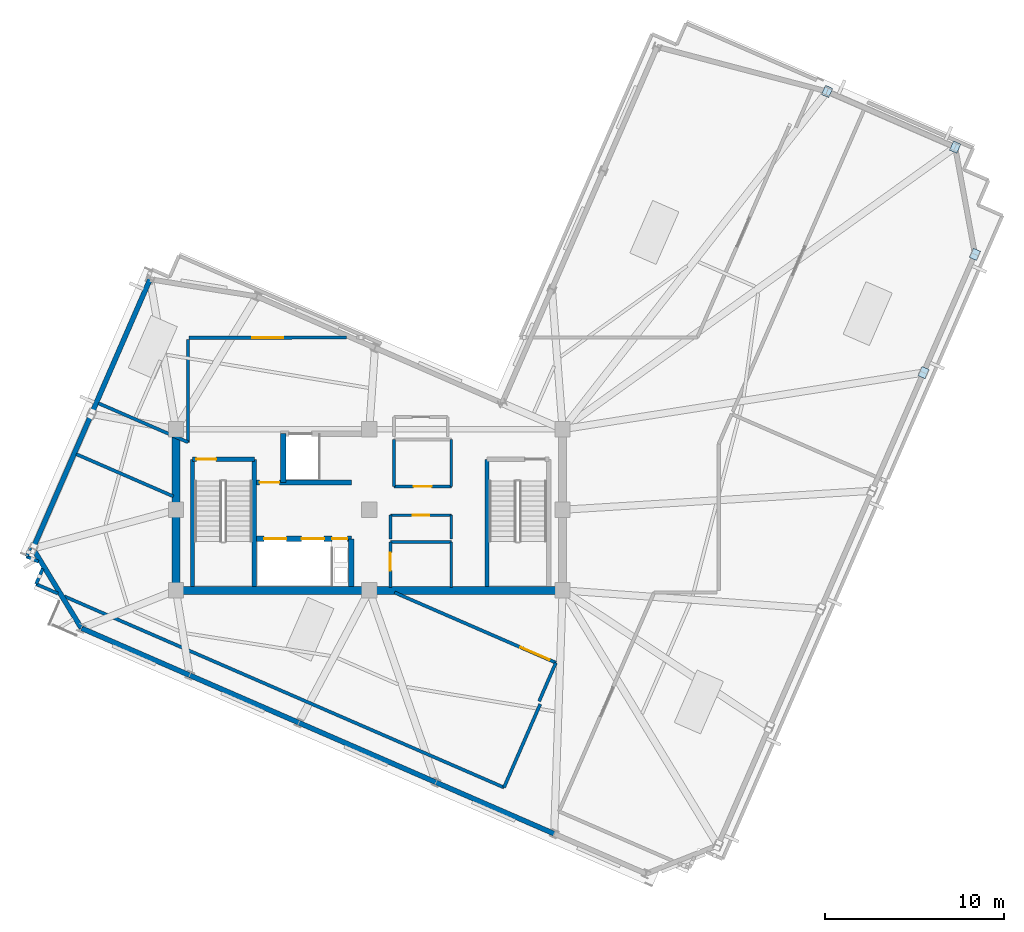
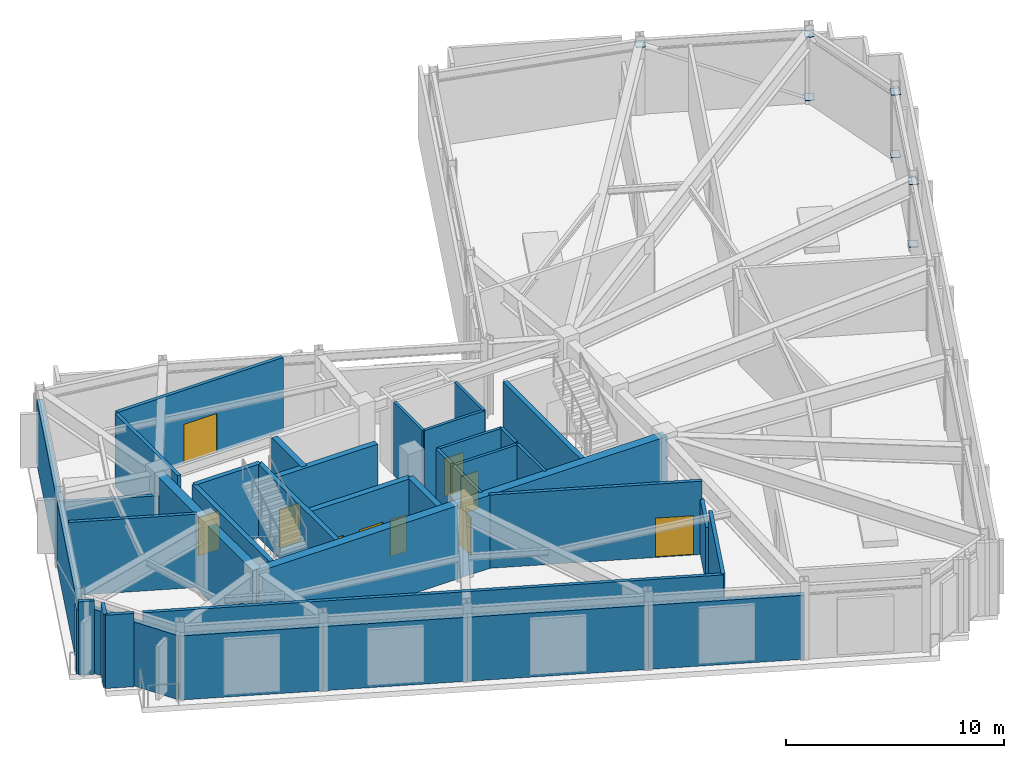
# One storey, part 6 of 11: 39 walls, 10 doors, 7 plates, 10 openings.
"""IFC4 building model written with IfcOpenShell, lengths in metres."""

from ifc_helpers import new_model, si_unit, direction, frame, frame_2d, origin, origin_2d, place, context, subcontext, project, spatial, rectangle, extrude, material, layer, layer_set, type_object, element, fill, save


model = new_model("IFC4")

# Units and contexts
model_context = context("Model", 3, precision=1e-05, world=origin(), true_north=direction((0.0, 1.0)))
body_context = subcontext(model_context, "Body", "Model", "MODEL_VIEW")
ifc_project = project(units=[si_unit("LENGTHUNIT", "METRE"), si_unit("AREAUNIT", "SQUARE_METRE"), si_unit("VOLUMEUNIT", "CUBIC_METRE"), si_unit("PLANEANGLEUNIT", "RADIAN"), si_unit("MASSUNIT", "GRAM", prefix="KILO")], contexts=[model_context])

# Site, building, storey
site_placement = place(None, origin())
site = spatial("IfcSite", under=ifc_project, at=site_placement, CompositionType="ELEMENT")
building_placement = place(site_placement, origin())
building = spatial("IfcBuilding", under=site, at=building_placement, Name="Gaonmaruhae Medical Tower", CompositionType="ELEMENT")
storey_placement = place(building_placement, frame((0.0, 0.0, 338.199951171875)))
storey = spatial("IfcBuildingStorey", under=building, at=storey_placement, Name="L81", CompositionType="ELEMENT", Elevation=338.199951171875)

# Plates
ifc_material_1 = material(Name="Steel HSA650 (650 MPa)", Category="steel")
ifc_layer_1 = layer(ifc_material_1, 0.028076171875)
ifc_layer_set_1 = layer_set([ifc_layer_1], Name="Steel HSA650 (650 MPa)")
plate_type = type_object("IfcPlateType", Name="GP-02 Tube Brace End Cap Gusset Plate", PredefinedType="USERDEFINED", material=ifc_layer_set_1)
for number, where, z_axis, x_axis, name in (
    (1, (57.525634765625, 32.552734375, 0.23583984375), (0.0, 0.0, 1.0), (0.398749068925, 0.917060074385, 0.0), "L81 Gusset Cap Plate PLT-L81-PBR-E01A"),
    (2, (50.372802734375, 35.662841796875, 3.8359375), (0.0, 0.0, 1.0), (0.398749068925, 0.917060074385, 0.0), "L81 Gusset Cap Plate PLT-L81-PBR-E01B"),
    (3, (55.759033203125, 19.962890625, 3.7861328125), (0.0, 0.0, 1.0), (0.398749068925, 0.917060074385, 0.0), "L81 Gusset Cap Plate PLT-L81-CFS4B"),
    (4, (55.759033203125, 19.962890625, 0.2861328125), (0.0, 0.0, 1.0), (0.398749068925, 0.917060074385, 0.0), "L81 Gusset Cap Plate PLT-L81-CFS5A"),
    (5, (58.630126953125, 26.565673828125, 3.7861328125), (0.0, 0.0, 1.0), (0.398749068925, 0.917060074385, 0.0), "L81 Gusset Cap Plate PLT-L81-CFS5B"),
    (6, (58.630126953125, 26.565673828125, 0.2861328125), (0.0, 0.0, 1.0), (0.398749068925, 0.917060074385, 0.0), "L81 Gusset Cap Plate PLT-L81-CFS6A"),
    (7, (57.525634765625, 32.552734375, 3.7861328125), (0.0, 0.0, 1.0), (0.398749068925, 0.917060074385, 0.0), "L81 Gusset Cap Plate PLT-L81-CFS6B"),
):
    element("IfcPlate", number, at=place(storey_placement, frame(where, z_axis=z_axis, x_axis=x_axis)), inside=storey, type_object=plate_type, Name=name, ObjectType="GUSSET_PLATE", PredefinedType="USERDEFINED", context=body_context, shape_type="SweptSolid", body=[
        extrude(rectangle(XDim=0.56005859375, YDim=0.43994140625, at=origin_2d()), origin(), (0.0, 0.0, 1.0), 0.028076171875),
    ])

# Walls
ifc_material_2 = material(Name="Concrete C50/60", Category="concrete")
ifc_layer_2 = layer(ifc_material_2, 0.449951171875)
ifc_layer_set_2 = layer_set([ifc_layer_2], Name="Concrete C50/60")
wall_type_1 = type_object("IfcWallType", Name="CW-450 Upper Core Shear Wall", PredefinedType="SHEAR", material=ifc_layer_set_2)
for number, where, z_axis, x_axis, name in (
    (8, (14.0, 7.800048828125, 0.0), (0.0, 0.0, 1.0), (1.0, 0.0, 0.0), "L81 Core Shear Wall CSW-S1"),
    (9, (24.800048828125, 7.800048828125, 0.0), (0.0, 0.0, 1.0), (1.0, 0.0, 0.0), "L81 Core Shear Wall CSW-S2"),
):
    element("IfcWall", number, at=place(storey_placement, frame(where, z_axis=z_axis, x_axis=x_axis)), inside=storey, type_object=wall_type_1, Name=name, PredefinedType="SHEAR", context=body_context, shape_type="SweptSolid", body=[
        extrude(rectangle(XDim=10.800048828125, YDim=0.449951171875, at=frame_2d((5.39990234375, 0.0))), origin(), (0.0, 0.0, 1.0), 4.10009765625),
    ])
wall_1_placement = place(storey_placement, frame((14.0, 16.800048828125, 0.0), z_axis=(0.0, 0.0, 1.0), x_axis=(0.0, -1.0, 0.0)))
element("IfcWall", 10, at=wall_1_placement, inside=storey, type_object=wall_type_1, Name="L81 Core Shear Wall CSW-W1", PredefinedType="SHEAR", context=body_context, shape_type="SweptSolid", body=[
    extrude(rectangle(XDim=9.0, YDim=0.449951171875, at=frame_2d((4.5, 0.0))), origin(), (0.0, 0.0, 1.0), 4.10009765625),
])
ifc_material_3 = material(Name="Precast concrete C45/55", Category="concrete")
ifc_layer_3 = layer(ifc_material_3, 0.280029296875)
ifc_layer_set_3 = layer_set([ifc_layer_3], Name="Precast concrete C45/55")
wall_type_2 = type_object("IfcWallType", Name="EW-280 Upper Precast Masonry-Frame Facade Wall", PredefinedType="SOLIDWALL", material=ifc_layer_set_3)
wall_2_placement = place(storey_placement, frame((9.283447265625, 17.6533203125, 0.0), z_axis=(0.0, 0.0, 1.0), x_axis=(0.398746796056, 0.917061062653, 0.0)))
element("IfcWall", 11, at=wall_2_placement, inside=storey, type_object=wall_type_2, Name="L81 Precast Masonry-Frame Wall N01-N02", PredefinedType="SOLIDWALL", context=body_context, shape_type="SweptSolid", body=[
    extrude(rectangle(XDim=8.2001953125, YDim=0.280029296875, at=frame_2d((4.10009765625, 0.0))), origin(), (0.0, 0.0, 1.0), 3.5849609375),
])
wall_3_placement = place(storey_placement, frame((6.013916015625, 10.133544921875, 0.0), z_axis=(0.0, 0.0, 1.0), x_axis=(0.398732643684, 0.917067216108, 0.0)))
element("IfcWall", 12, at=wall_3_placement, inside=storey, type_object=wall_type_2, Name="L81 Precast Masonry-Frame Wall N02-N03", PredefinedType="SOLIDWALL", context=body_context, shape_type="SweptSolid", body=[
    extrude(rectangle(XDim=8.19970703125, YDim=0.280029296875, at=frame_2d((4.099853515625, 0.0))), origin(), (0.0, 0.0, 1.0), 3.5849609375),
])
wall_4_placement = place(storey_placement, frame((8.715087890625, 5.687744140625, 0.0), z_axis=(0.0, 0.0, 1.0), x_axis=(-0.519249986957, 0.854622402611, 0.0)))
element("IfcWall", 13, at=wall_4_placement, inside=storey, type_object=wall_type_2, Name="L81 Precast Masonry-Frame Wall N03-W01", PredefinedType="SOLIDWALL", context=body_context, shape_type="SweptSolid", body=[
    extrude(rectangle(XDim=5.2021484375, YDim=0.280029296875, at=frame_2d((2.60107421875, 0.0))), origin(), (0.0, 0.0, 1.0), 3.5849609375),
])
wall_5_placement = place(storey_placement, frame((14.767578125, 3.055908203125, 0.0), z_axis=(0.0, 0.0, 1.0), x_axis=(-0.917052412425, 0.398766689764, 0.0)))
element("IfcWall", 14, at=wall_5_placement, inside=storey, type_object=wall_type_2, Name="L81 Precast Masonry-Frame Wall W01-W02", PredefinedType="SOLIDWALL", context=body_context, shape_type="SweptSolid", body=[
    extrude(rectangle(XDim=6.599853515625, YDim=0.280029296875, at=frame_2d((3.2998046875, 0.0))), origin(), (0.0, 0.0, 1.0), 3.5849609375),
])
wall_6_placement = place(storey_placement, frame((20.8662109375, 0.404296875, 0.0), z_axis=(0.0, 0.0, 1.0), x_axis=(-0.91706830527, 0.398730138652, 0.0)))
element("IfcWall", 15, at=wall_6_placement, inside=storey, type_object=wall_type_2, Name="L81 Precast Masonry-Frame Wall W02-W03", PredefinedType="SOLIDWALL", context=body_context, shape_type="SweptSolid", body=[
    extrude(rectangle(XDim=6.650146484375, YDim=0.280029296875, at=frame_2d((3.3251953125, 0.0))), origin(), (0.0, 0.0, 1.0), 3.5849609375),
])
wall_7_placement = place(storey_placement, frame((28.5234375, -2.92529296875, 0.0), z_axis=(0.0, 0.0, 1.0), x_axis=(-0.917054250629, 0.39876246238, 0.0)))
element("IfcWall", 16, at=wall_7_placement, inside=storey, type_object=wall_type_2, Name="L81 Precast Masonry-Frame Wall W03-W04", PredefinedType="SOLIDWALL", context=body_context, shape_type="SweptSolid", body=[
    extrude(rectangle(XDim=8.349853515625, YDim=0.280029296875, at=frame_2d((4.1748046875, 0.0))), origin(), (0.0, 0.0, 1.0), 3.5849609375),
])
wall_8_placement = place(storey_placement, frame((35.12646484375, -5.79638671875, 0.0), z_axis=(0.0, 0.0, 1.0), x_axis=(-0.917059274554, 0.398750908406, 0.0)))
element("IfcWall", 17, at=wall_8_placement, inside=storey, type_object=wall_type_2, Name="L81 Precast Masonry-Frame Wall W04-W05", PredefinedType="SOLIDWALL", context=body_context, shape_type="SweptSolid", body=[
    extrude(rectangle(XDim=7.2001953125, YDim=0.280029296875, at=frame_2d((3.60009765625, 0.0))), origin(), (0.0, 0.0, 1.0), 3.5849609375),
])

# Wall, opening, door
ifc_material_4 = material(Name="Gypsum board partition", Category="gypsum")
ifc_layer_4 = layer(ifc_material_4, 0.14990234375)
ifc_layer_set_4 = layer_set([ifc_layer_4], Name="Gypsum board partition")
wall_type_3 = type_object("IfcWallType", Name="PW-150 Rated Clinical Corridor Partition", PredefinedType="PARTITIONING", material=ifc_layer_set_4)
wall_9_placement = place(storey_placement, frame((25.97998046875, 7.9599609375, 0.0), z_axis=(0.0, 0.0, 1.0), x_axis=(0.0, 1.0, 0.0)))
wall_9 = element("IfcWall", 18, at=wall_9_placement, inside=storey, type_object=wall_type_3, Name="L81 Interior Partition L81-RCL1-1", PredefinedType="PARTITIONING", context=body_context, shape_type="SweptSolid", body=[
    extrude(rectangle(XDim=2.5400390625, YDim=0.14990234375, at=frame_2d((1.27001953125, 0.0))), origin(), (0.0, 0.0, 1.0), 4.10009765625),
])
opening_1_placement = place(wall_9_placement, frame((0.945068359375, 0.0, 0.0)))
opening_1 = element("IfcOpeningElement", 19, at=opening_1_placement, cuts=wall_9, Name="Opening CD-01", PredefinedType="OPENING", context=body_context, shape_type="SweptSolid", body=[
    extrude(rectangle(XDim=1.0, YDim=2.1201171875, at=frame_2d((0.5, 1.06005859375))), frame((0.0, 0.0849609375, 0.0), z_axis=(0.0, -1.0, 0.0), x_axis=(1.0, 0.0, 0.0)), (0.0, 0.0, 1.0), 0.169921875),
])
ifc_material_5 = material(Name="Antimicrobial laminate timber fire door", Category="wood")
door_type_1 = type_object("IfcDoorType", Name="CD-01 Consultation & Physician Office Door 1000x2120", OperationType="NOTDEFINED", PredefinedType="DOOR", material=ifc_material_5)
door_1_placement = place(opening_1_placement, origin())
door_1 = element("IfcDoor", 20, at=door_1_placement, inside=storey, type_object=door_type_1, Name="L81 Clinical Telemetry and Medication Room Door", OperationType="SINGLE_SWING_RIGHT", OverallHeight=2.1201171875, OverallWidth=1.0, PredefinedType="DOOR", context=body_context, shape_type="SweptSolid", body=[
    extrude(rectangle(XDim=1.0, YDim=2.1201171875, at=frame_2d((0.5, 1.06005859375))), frame((0.0, 0.02490234375, 0.0), z_axis=(0.0, -1.0, 0.0), x_axis=(1.0, 0.0, 0.0)), (0.0, 0.0, 1.0), 0.050048828125),
])
fill(opening_1, door_1)

# Walls
wall_10_placement = place(storey_placement, frame((25.97998046875, 10.5, 0.0), z_axis=(0.0, 0.0, 1.0), x_axis=(1.0, 0.0, 0.0)))
element("IfcWall", 21, at=wall_10_placement, inside=storey, type_object=wall_type_3, Name="L81 Interior Partition L81-RCL1-2", PredefinedType="PARTITIONING", context=body_context, shape_type="SweptSolid", body=[
    extrude(rectangle(XDim=3.39990234375, YDim=0.14990234375, at=frame_2d((1.699951171875, 0.0))), origin(), (0.0, 0.0, 1.0), 4.10009765625),
])
wall_11_placement = place(storey_placement, frame((29.3798828125, 10.5, 0.0), z_axis=(0.0, 0.0, 1.0), x_axis=(0.0, -1.0, 0.0)))
element("IfcWall", 22, at=wall_11_placement, inside=storey, type_object=wall_type_3, Name="L81 Interior Partition L81-RCL1-3", PredefinedType="PARTITIONING", context=body_context, shape_type="SweptSolid", body=[
    extrude(rectangle(XDim=2.5400390625, YDim=0.14990234375, at=frame_2d((1.27001953125, 0.0))), origin(), (0.0, 0.0, 1.0), 4.10009765625),
])
wall_12_placement = place(storey_placement, frame((25.97998046875, 10.659912109375, 0.0), z_axis=(0.0, 0.0, 1.0), x_axis=(0.0, 1.0, 0.0)))
element("IfcWall", 23, at=wall_12_placement, inside=storey, type_object=wall_type_3, Name="L81 Interior Partition L81-CS1-4", PredefinedType="PARTITIONING", context=body_context, shape_type="SweptSolid", body=[
    extrude(rectangle(XDim=1.340087890625, YDim=0.14990234375, at=frame_2d((0.669921875, 0.0))), origin(), (0.0, 0.0, 1.0), 4.10009765625),
])

# Wall, opening, door
wall_13_placement = place(storey_placement, frame((25.97998046875, 12.0, 0.0), z_axis=(0.0, 0.0, 1.0), x_axis=(1.0, 0.0, 0.0)))
wall_13 = element("IfcWall", 24, at=wall_13_placement, inside=storey, type_object=wall_type_3, Name="L81 Interior Partition L81-CS1-5", PredefinedType="PARTITIONING", context=body_context, shape_type="SweptSolid", body=[
    extrude(rectangle(XDim=3.39990234375, YDim=0.14990234375, at=frame_2d((1.699951171875, 0.0))), origin(), (0.0, 0.0, 1.0), 4.10009765625),
])
opening_2_placement = place(wall_13_placement, frame((1.239990234375, 0.0, 0.0)))
opening_2 = element("IfcOpeningElement", 25, at=opening_2_placement, cuts=wall_13, Name="Opening UD-01", PredefinedType="OPENING", context=body_context, shape_type="SweptSolid", body=[
    extrude(rectangle(XDim=0.919921875, YDim=2.10009765625, at=frame_2d((0.4599609375, 1.050048828125))), frame((0.0, 0.0849609375, 0.0), z_axis=(0.0, -1.0, 0.0), x_axis=(1.0, 0.0, 0.0)), (0.0, 0.0, 1.0), 0.169921875),
])
ifc_material_6 = material(Name="Powder-coated steel utility door", Category="steel")
door_type_2 = type_object("IfcDoorType", Name="UD-01 Toilet, Utility & Housekeeping Door 920x2100", OperationType="NOTDEFINED", PredefinedType="DOOR", material=ifc_material_6)
door_2_placement = place(opening_2_placement, origin())
door_2 = element("IfcDoor", 26, at=door_2_placement, inside=storey, type_object=door_type_2, Name="L81 Accessible Staff Toilet Door", OperationType="SINGLE_SWING_RIGHT", OverallHeight=2.10009765625, OverallWidth=0.919921875, PredefinedType="DOOR", context=body_context, shape_type="SweptSolid", body=[
    extrude(rectangle(XDim=0.919921875, YDim=2.10009765625, at=frame_2d((0.4599609375, 1.050048828125))), frame((0.0, 0.02490234375, 0.0), z_axis=(0.0, -1.0, 0.0), x_axis=(1.0, 0.0, 0.0)), (0.0, 0.0, 1.0), 0.050048828125),
])
fill(opening_2, door_2)

# Walls
wall_14_placement = place(storey_placement, frame((29.3798828125, 12.0, 0.0), z_axis=(0.0, 0.0, 1.0), x_axis=(0.0, -1.0, 0.0)))
element("IfcWall", 27, at=wall_14_placement, inside=storey, type_object=wall_type_3, Name="L81 Interior Partition L81-CS1-6", PredefinedType="PARTITIONING", context=body_context, shape_type="SweptSolid", body=[
    extrude(rectangle(XDim=1.340087890625, YDim=0.14990234375, at=frame_2d((0.669921875, 0.0))), origin(), (0.0, 0.0, 1.0), 4.10009765625),
])
for number, where, z_axis, x_axis, name in (
    (28, (26.179931640625, 13.60009765625, 0.0), (0.0, 0.0, 1.0), (0.0, 1.0, 0.0), "L81 Interior Partition L81-RCL2-7"),
    (29, (29.3798828125, 16.219970703125, 0.0), (0.0, 0.0, 1.0), (0.0, -1.0, 0.0), "L81 Interior Partition L81-RCL2-9"),
):
    element("IfcWall", number, at=place(storey_placement, frame(where, z_axis=z_axis, x_axis=x_axis)), inside=storey, type_object=wall_type_3, Name=name, PredefinedType="PARTITIONING", context=body_context, shape_type="SweptSolid", body=[
        extrude(rectangle(XDim=2.619873046875, YDim=0.14990234375, at=frame_2d((1.31005859375, 0.0))), origin(), (0.0, 0.0, 1.0), 4.10009765625),
    ])

# Wall, opening, door
wall_15_placement = place(storey_placement, frame((29.3798828125, 13.60009765625, 0.0), z_axis=(0.0, 0.0, 1.0), x_axis=(-1.0, 0.0, 0.0)))
wall_15 = element("IfcWall", 30, at=wall_15_placement, inside=storey, type_object=wall_type_3, Name="L81 Interior Partition L81-RCL2-10", PredefinedType="PARTITIONING", context=body_context, shape_type="SweptSolid", body=[
    extrude(rectangle(XDim=3.199951171875, YDim=0.14990234375, at=frame_2d((1.60009765625, 0.0))), origin(), (0.0, 0.0, 1.0), 4.10009765625),
])
opening_3_placement = place(wall_15_placement, frame((1.10009765625, 0.0, 0.0)))
opening_3 = element("IfcOpeningElement", 31, at=opening_3_placement, cuts=wall_15, Name="Opening CD-01", PredefinedType="OPENING", context=body_context, shape_type="SweptSolid", body=[
    extrude(rectangle(XDim=1.0, YDim=2.1201171875, at=frame_2d((0.5, 1.06005859375))), frame((0.0, 0.0849609375, 0.0), z_axis=(0.0, -1.0, 0.0), x_axis=(1.0, 0.0, 0.0)), (0.0, 0.0, 1.0), 0.169921875),
])
door_3_placement = place(opening_3_placement, origin())
door_3 = element("IfcDoor", 32, at=door_3_placement, inside=storey, type_object=door_type_1, Name="L81 High-Zone Specialist Pharmacy Prep Room Door", OperationType="SINGLE_SWING_RIGHT", OverallHeight=2.1201171875, OverallWidth=1.0, PredefinedType="DOOR", context=body_context, shape_type="SweptSolid", body=[
    extrude(rectangle(XDim=1.0, YDim=2.1201171875, at=frame_2d((0.5, 1.06005859375))), frame((0.0, 0.02490234375, 0.0), z_axis=(0.0, -1.0, 0.0), x_axis=(1.0, 0.0, 0.0)), (0.0, 0.0, 1.0), 0.050048828125),
])
fill(opening_3, door_3)

# Walls
ifc_layer_5 = layer(ifc_material_4, 0.179931640625)
ifc_layer_set_5 = layer_set([ifc_layer_5], Name="Gypsum board partition")
wall_type_4 = type_object("IfcWallType", Name="PW-180 Refuge & Plant Acoustic Fire Partition", PredefinedType="PARTITIONING", material=ifc_layer_set_5)
wall_16_placement = place(storey_placement, frame((5.656982421875, 9.68896484375, 0.0), z_axis=(0.0, 0.0, 1.0), x_axis=(0.398417502459, 0.917204172327, 0.0)))
element("IfcWall", 33, at=wall_16_placement, inside=storey, type_object=wall_type_4, Name="L81 Interior Partition L81-ELEC-40", PredefinedType="PARTITIONING", context=body_context, shape_type="SweptSolid", body=[
    extrude(rectangle(XDim=0.549560546875, YDim=0.179931640625, at=frame_2d((0.27490234375, 0.0))), origin(), (0.0, 0.0, 1.0), 3.5849609375),
])
wall_17_placement = place(storey_placement, frame((8.431884765625, 15.406005859375, 0.0), z_axis=(0.0, 0.0, 1.0), x_axis=(0.917075309006, -0.398714029865, 0.0)))
element("IfcWall", 34, at=wall_17_placement, inside=storey, type_object=wall_type_4, Name="L81 Interior Partition L81-ELEC-41", PredefinedType="PARTITIONING", context=body_context, shape_type="SweptSolid", body=[
    extrude(rectangle(XDim=5.911376953125, YDim=0.179931640625, at=frame_2d((2.95556640625, 0.0))), origin(), (0.0, 0.0, 1.0), 4.10009765625),
])

# Wall, opening, door
wall_18_placement = place(storey_placement, frame((26.214111328125, 7.675048828125, 0.0), z_axis=(0.0, 0.0, 1.0), x_axis=(0.91704872202, -0.398775176561, 0.0)))
wall_18 = element("IfcWall", 35, at=wall_18_placement, inside=storey, type_object=wall_type_4, Name="L81 Interior Partition L81-ELEC-42", PredefinedType="PARTITIONING", context=body_context, shape_type="SweptSolid", body=[
    extrude(rectangle(XDim=9.824951171875, YDim=0.179931640625, at=frame_2d((4.91259765625, 0.0))), origin(), (0.0, 0.0, 1.0), 4.10009765625),
])
opening_4_placement = place(wall_18_placement, frame((7.675048828125, 0.0, 0.0)))
opening_4 = element("IfcOpeningElement", 36, at=opening_4_placement, cuts=wall_18, Name="Opening PD-01", PredefinedType="OPENING", context=body_context, shape_type="SweptSolid", body=[
    extrude(rectangle(XDim=1.75, YDim=2.199951171875, at=frame_2d((0.875, 1.10009765625))), frame((0.0, 0.10009765625, 0.0), z_axis=(0.0, -1.0, 0.0), x_axis=(1.0, 0.0, 0.0)), (0.0, 0.0, 1.0), 0.199951171875),
])
ifc_material_7 = material(Name="Acoustic galvanised steel plant door", Category="steel")
door_type_3 = type_object("IfcDoorType", Name="PD-01 Mechanical Plant Double Equipment Door 1750x2200", OperationType="NOTDEFINED", PredefinedType="DOOR", material=ifc_material_7)
door_4_placement = place(opening_4_placement, origin())
door_4 = element("IfcDoor", 37, at=door_4_placement, inside=storey, type_object=door_type_3, Name="L81 Crown Emergency Switchboard and UPS Room Door", OperationType="DOUBLE_DOOR_SINGLE_SWING", OverallHeight=2.199951171875, OverallWidth=1.75, PredefinedType="DOOR", context=body_context, shape_type="SweptSolid", body=[
    extrude(rectangle(XDim=1.75, YDim=2.199951171875, at=frame_2d((0.875, 1.10009765625))), frame((0.0, 0.02490234375, 0.0), z_axis=(0.0, -1.0, 0.0), x_axis=(1.0, 0.0, 0.0)), (0.0, 0.0, 1.0), 0.050048828125),
])
fill(opening_4, door_4)

# Walls
wall_19_placement = place(storey_placement, frame((35.22412109375, 3.757080078125, 0.0), z_axis=(0.0, 0.0, 1.0), x_axis=(-0.398741307155, -0.91706344926, 0.0)))
element("IfcWall", 38, at=wall_19_placement, inside=storey, type_object=wall_type_4, Name="L81 Interior Partition L81-ELEC-43", PredefinedType="PARTITIONING", context=body_context, shape_type="SweptSolid", body=[
    extrude(rectangle(XDim=2.349853515625, YDim=0.179931640625, at=frame_2d((1.1748046875, 0.0))), origin(), (0.0, 0.0, 1.0), 3.0849609375),
])
wall_20_placement = place(storey_placement, frame((34.34912109375, 1.444091796875, 0.0), z_axis=(0.0, 0.0, 1.0), x_axis=(-0.39886142776, -0.917011211189, 0.0)))
element("IfcWall", 39, at=wall_20_placement, inside=storey, type_object=wall_type_4, Name="L81 Interior Partition L81-ELEC-44", PredefinedType="PARTITIONING", context=body_context, shape_type="SweptSolid", body=[
    extrude(rectangle(XDim=5.079833984375, YDim=0.179931640625, at=frame_2d((2.5400390625, 0.0))), origin(), (0.0, 0.0, 1.0), 4.10009765625),
])
wall_21_placement = place(storey_placement, frame((32.322998046875, -3.214111328125, 0.0), z_axis=(0.0, 0.0, 1.0), x_axis=(-0.917060632086, 0.398747786298, 0.0)))
element("IfcWall", 40, at=wall_21_placement, inside=storey, type_object=wall_type_4, Name="L81 Interior Partition L81-ELEC-45", PredefinedType="PARTITIONING", context=body_context, shape_type="SweptSolid", body=[
    extrude(rectangle(XDim=26.771484375, YDim=0.179931640625, at=frame_2d((13.3857421875, 0.0))), origin(), (0.0, 0.0, 1.0), 4.10009765625),
])
wall_22_placement = place(storey_placement, frame((7.406982421875, 7.6201171875, 0.0), z_axis=(0.0, 0.0, 1.0), x_axis=(-0.917245063995, 0.398323351785, 0.0)))
element("IfcWall", 41, at=wall_22_placement, inside=storey, type_object=wall_type_4, Name="L81 Interior Partition L81-ELEC-46", PredefinedType="PARTITIONING", context=body_context, shape_type="SweptSolid", body=[
    extrude(rectangle(XDim=1.330078125, YDim=0.179931640625, at=frame_2d((0.6650390625, 0.0))), origin(), (0.0, 0.0, 1.0), 4.10009765625),
])
wall_23_placement = place(storey_placement, frame((6.18701171875, 8.14990234375, 0.0), z_axis=(0.0, 0.0, 1.0), x_axis=(0.39965830238, 0.916664192242, 0.0)))
element("IfcWall", 42, at=wall_23_placement, inside=storey, type_object=wall_type_4, Name="L81 Interior Partition L81-ELEC-47", PredefinedType="PARTITIONING", context=body_context, shape_type="SweptSolid", body=[
    extrude(rectangle(XDim=0.938232421875, YDim=0.179931640625, at=frame_2d((0.46923828125, 0.0))), origin(), (0.0, 0.0, 1.0), 4.10009765625),
])
wall_24_placement = place(storey_placement, frame((6.325927734375, 9.39794921875, 0.0), z_axis=(0.0, 0.0, 1.0), x_axis=(-0.916984905679, 0.398921900573, 0.0)))
element("IfcWall", 43, at=wall_24_placement, inside=storey, type_object=wall_type_4, Name="L81 Interior Partition L81-ELEC-48", PredefinedType="PARTITIONING", context=body_context, shape_type="SweptSolid", body=[
    extrude(rectangle(XDim=0.7294921875, YDim=0.179931640625, at=frame_2d((0.36474609375, 0.0))), origin(), (0.0, 0.0, 1.0), 4.10009765625),
])

# Wall, opening, door
wall_25_placement = place(storey_placement, frame((23.513916015625, 21.91796875, 0.0), z_axis=(0.0, 0.0, 1.0), x_axis=(-0.99999906987, -0.001363913445, 0.0)))
wall_25 = element("IfcWall", 44, at=wall_25_placement, inside=storey, type_object=wall_type_4, Name="L81 Interior Partition L81-BMS-51", PredefinedType="PARTITIONING", context=body_context, shape_type="SweptSolid", body=[
    extrude(rectangle(XDim=8.77099609375, YDim=0.179931640625, at=frame_2d((4.385498046875, 0.0))), origin(), (0.0, 0.0, 1.0), 4.10009765625),
])
opening_5_placement = place(wall_25_placement, frame((3.510498046875, 0.0, 0.0)))
opening_5 = element("IfcOpeningElement", 45, at=opening_5_placement, cuts=wall_25, Name="Opening PD-01", PredefinedType="OPENING", context=body_context, shape_type="SweptSolid", body=[
    extrude(rectangle(XDim=1.75, YDim=2.199951171875, at=frame_2d((0.875, 1.10009765625))), frame((0.0, 0.10009765625, 0.0), z_axis=(0.0, -1.0, 0.0), x_axis=(1.0, 0.0, 0.0)), (0.0, 0.0, 1.0), 0.199951171875),
])
door_5_placement = place(opening_5_placement, origin())
door_5 = element("IfcDoor", 46, at=door_5_placement, inside=storey, type_object=door_type_3, Name="L81 Aviation Obstruction Lighting and BMS Room Door", OperationType="DOUBLE_DOOR_SINGLE_SWING", OverallHeight=2.199951171875, OverallWidth=1.75, PredefinedType="DOOR", context=body_context, shape_type="SweptSolid", body=[
    extrude(rectangle(XDim=1.75, YDim=2.199951171875, at=frame_2d((0.875, 1.10009765625))), frame((0.0, 0.02490234375, 0.0), z_axis=(0.0, -1.0, 0.0), x_axis=(1.0, 0.0, 0.0)), (0.0, 0.0, 1.0), 0.050048828125),
])
fill(opening_5, door_5)

# Walls
wall_26_placement = place(storey_placement, frame((14.679931640625, 21.800048828125, 0.0), z_axis=(0.0, 0.0, 1.0), x_axis=(0.0, -1.0, 0.0)))
element("IfcWall", 47, at=wall_26_placement, inside=storey, type_object=wall_type_4, Name="L81 Interior Partition L81-BMS-52", PredefinedType="PARTITIONING", context=body_context, shape_type="SweptSolid", body=[
    extrude(rectangle(XDim=5.72998046875, YDim=0.179931640625, at=frame_2d((2.864990234375, 0.0))), origin(), (0.0, 0.0, 1.0), 4.10009765625),
])
wall_27_placement = place(storey_placement, frame((14.679931640625, 16.070068359375, 0.0), z_axis=(0.0, 0.0, 1.0), x_axis=(-0.917080709133, 0.398701608895, 0.0)))
element("IfcWall", 48, at=wall_27_placement, inside=storey, type_object=wall_type_4, Name="L81 Interior Partition L81-BMS-53", PredefinedType="PARTITIONING", context=body_context, shape_type="SweptSolid", body=[
    extrude(rectangle(XDim=5.465087890625, YDim=0.179931640625, at=frame_2d((2.732421875, 0.0))), origin(), (0.0, 0.0, 1.0), 3.0849609375),
])

# Wall, opening, door
ifc_layer_6 = layer(ifc_material_2, 0.239990234375)
ifc_layer_set_6 = layer_set([ifc_layer_6], Name="Concrete C50/60")
wall_type_5 = type_object("IfcWallType", Name="SW-240 Dogleg Stair Tight Shaft Wall", PredefinedType="SOLIDWALL", material=ifc_layer_set_6)
wall_28_placement = place(storey_placement, frame((14.919921875, 15.1201171875, 0.0), z_axis=(0.0, 0.0, 1.0), x_axis=(1.0, 0.0, 0.0)))
wall_28 = element("IfcWall", 49, at=wall_28_placement, inside=storey, type_object=wall_type_5, Name="L81 ST-01 Stair Shaft Wall SHW-ST-01-N", PredefinedType="SOLIDWALL", context=body_context, shape_type="SweptSolid", body=[
    extrude(rectangle(XDim=3.4599609375, YDim=0.239990234375, at=frame_2d((1.72998046875, 0.0))), origin(), (0.0, 0.0, 1.0), 4.10009765625),
])
opening_6_placement = place(wall_28_placement, frame((0.219970703125, 0.0, 0.0)))
opening_6 = element("IfcOpeningElement", 50, at=opening_6_placement, cuts=wall_28, Name="Opening FD-01", PredefinedType="OPENING", context=body_context, shape_type="SweptSolid", body=[
    extrude(rectangle(XDim=1.10009765625, YDim=2.14990234375, at=frame_2d((0.550048828125, 1.074951171875))), frame((0.0, 0.1298828125, 0.0), z_axis=(0.0, -1.0, 0.0), x_axis=(1.0, 0.0, 0.0)), (0.0, 0.0, 1.0), 0.260009765625),
])
ifc_material_8 = material(Name="Powder-coated steel fire door", Category="steel")
door_type_4 = type_object("IfcDoorType", Name="FD-01 Escape Stair Protected Fire Door 1100x2150", OperationType="NOTDEFINED", PredefinedType="DOOR", material=ifc_material_8)
door_6_placement = place(opening_6_placement, origin())
door_6 = element("IfcDoor", 51, at=door_6_placement, inside=storey, type_object=door_type_4, Name="L81 ST-01 Protected Escape Stair Door", OperationType="SINGLE_SWING_LEFT", OverallHeight=2.14990234375, OverallWidth=1.10009765625, PredefinedType="DOOR", context=body_context, shape_type="SweptSolid", body=[
    extrude(rectangle(XDim=1.10009765625, YDim=2.14990234375, at=frame_2d((0.550048828125, 1.074951171875))), frame((0.0, 0.02490234375, 0.0), z_axis=(0.0, -1.0, 0.0), x_axis=(1.0, 0.0, 0.0)), (0.0, 0.0, 1.0), 0.050048828125),
])
fill(opening_6, door_6)

# Walls
for number, where, z_axis, x_axis, name in (
    (52, (18.3798828125, 15.1201171875, 0.0), (0.0, 0.0, 1.0), (0.0, -1.0, 0.0), "L81 ST-01 Stair Shaft Wall SHW-ST-01-E"),
    (53, (14.919921875, 8.02490234375, 0.0), (0.0, 0.0, 1.0), (0.0, 1.0, 0.0), "L81 ST-01 Stair Shaft Wall SHW-ST-01-W"),
    (54, (31.3701171875, 8.02490234375, 0.0), (0.0, 0.0, 1.0), (0.0, 1.0, 0.0), "L81 ST-02 Stair Shaft Wall SHW-ST-02-W"),
):
    element("IfcWall", number, at=place(storey_placement, frame(where, z_axis=z_axis, x_axis=x_axis)), inside=storey, type_object=wall_type_5, Name=name, PredefinedType="SOLIDWALL", context=body_context, shape_type="SweptSolid", body=[
        extrude(rectangle(XDim=7.09521484375, YDim=0.239990234375, at=frame_2d((3.547607421875, 0.0))), origin(), (0.0, 0.0, 1.0), 4.10009765625),
    ])

# Wall, openings, doors
ifc_layer_7 = layer(ifc_material_2, 0.300048828125)
ifc_layer_set_7 = layer_set([ifc_layer_7], Name="Concrete C50/60")
wall_type_6 = type_object("IfcWallType", Name="SW-300 Stair & Lift Hoistway Shaft Wall", PredefinedType="SOLIDWALL", material=ifc_layer_set_7)
wall_29_placement = place(storey_placement, frame((18.5, 10.679931640625, 0.0), z_axis=(0.0, 0.0, 1.0), x_axis=(1.0, 0.0, 0.0)))
wall_29 = element("IfcWall", 55, at=wall_29_placement, inside=storey, type_object=wall_type_6, Name="L81 Shaft Enclosure Wall SHW-FFN", PredefinedType="SOLIDWALL", context=body_context, shape_type="SweptSolid", body=[
    extrude(rectangle(XDim=5.300048828125, YDim=0.300048828125, at=frame_2d((2.64990234375, 0.0))), origin(), (0.0, 0.0, 1.0), 4.10009765625),
])
opening_7_placement = place(wall_29_placement, frame((4.219970703125, 0.0, 0.0)))
opening_7 = element("IfcOpeningElement", 56, at=opening_7_placement, cuts=wall_29, Name="Opening AD-01", PredefinedType="OPENING", context=body_context, shape_type="SweptSolid", body=[
    extrude(rectangle(XDim=0.860107421875, YDim=2.06005859375, at=frame_2d((0.43017578125, 1.030029296875))), frame((0.0, 0.16015625, 0.0), z_axis=(0.0, -1.0, 0.0), x_axis=(1.0, 0.0, 0.0)), (0.0, 0.0, 1.0), 0.320068359375),
])
opening_8_placement = place(wall_29_placement, frame((0.425048828125, 0.0, 0.0)))
opening_8 = element("IfcOpeningElement", 57, at=opening_8_placement, cuts=wall_29, Name="Opening LD-F1", PredefinedType="OPENING", context=body_context, shape_type="SweptSolid", body=[
    extrude(rectangle(XDim=1.25, YDim=2.179931640625, at=frame_2d((0.625, 1.08984375))), frame((0.0, 0.16015625, 0.0), z_axis=(0.0, -1.0, 0.0), x_axis=(1.0, 0.0, 0.0)), (0.0, 0.0, 1.0), 0.320068359375),
])
opening_9_placement = place(wall_29_placement, frame((2.52490234375, 0.0, 0.0)))
opening_9 = element("IfcOpeningElement", 58, at=opening_9_placement, cuts=wall_29, Name="Opening LD-F1", PredefinedType="OPENING", context=body_context, shape_type="SweptSolid", body=[
    extrude(rectangle(XDim=1.25, YDim=2.179931640625, at=frame_2d((0.625, 1.08984375))), frame((0.0, 0.16015625, 0.0), z_axis=(0.0, -1.0, 0.0), x_axis=(1.0, 0.0, 0.0)), (0.0, 0.0, 1.0), 0.320068359375),
])
ifc_material_9 = material(Name="Powder-coated steel access door", Category="steel")
door_type_5 = type_object("IfcDoorType", Name="AD-01 Riser & Closet Access Fire Door 860x2060", OperationType="NOTDEFINED", PredefinedType="DOOR", material=ifc_material_9)
door_7_placement = place(opening_7_placement, origin())
door_7 = element("IfcDoor", 59, at=door_7_placement, inside=storey, type_object=door_type_5, Name="L81 Medical Gas and MEP Riser Access Door", OperationType="SINGLE_SWING_RIGHT", OverallHeight=2.06005859375, OverallWidth=0.860107421875, PredefinedType="DOOR", context=body_context, shape_type="SweptSolid", body=[
    extrude(rectangle(XDim=0.860107421875, YDim=2.06005859375, at=frame_2d((0.43017578125, 1.030029296875))), frame((0.0, 0.02490234375, 0.0), z_axis=(0.0, -1.0, 0.0), x_axis=(1.0, 0.0, 0.0)), (0.0, 0.0, 1.0), 0.050048828125),
])
fill(opening_7, door_7)
ifc_material_10 = material(Name="Brushed stainless steel 316L landing door", Category="steel")
door_type_6 = type_object("IfcDoorType", Name="LD-F1 Firefighting & Bed Lift Sliding Landing Door 1250x2180", OperationType="NOTDEFINED", PredefinedType="DOOR", material=ifc_material_10)
door_8_placement = place(opening_8_placement, origin())
door_8 = element("IfcDoor", 60, at=door_8_placement, inside=storey, type_object=door_type_6, Name="L81 Firefighting Lift Landing Door FFL-01", OperationType="DOUBLE_DOOR_SLIDING", OverallHeight=2.179931640625, OverallWidth=1.25, PredefinedType="DOOR", context=body_context, shape_type="SweptSolid", body=[
    extrude(rectangle(XDim=1.25, YDim=2.179931640625, at=frame_2d((0.625, 1.08984375))), frame((0.0, 0.02490234375, 0.0), z_axis=(0.0, -1.0, 0.0), x_axis=(1.0, 0.0, 0.0)), (0.0, 0.0, 1.0), 0.050048828125),
])
fill(opening_8, door_8)
door_9_placement = place(opening_9_placement, origin())
door_9 = element("IfcDoor", 61, at=door_9_placement, inside=storey, type_object=door_type_6, Name="L81 Firefighting Lift Landing Door FFL-02", OperationType="DOUBLE_DOOR_SLIDING", OverallHeight=2.179931640625, OverallWidth=1.25, PredefinedType="DOOR", context=body_context, shape_type="SweptSolid", body=[
    extrude(rectangle(XDim=1.25, YDim=2.179931640625, at=frame_2d((0.625, 1.08984375))), frame((0.0, 0.02490234375, 0.0), z_axis=(0.0, -1.0, 0.0), x_axis=(1.0, 0.0, 0.0)), (0.0, 0.0, 1.0), 0.050048828125),
])
fill(opening_9, door_9)

# Wall, opening, door
wall_30_placement = place(storey_placement, frame((18.5, 13.820068359375, 0.0), z_axis=(0.0, 0.0, 1.0), x_axis=(1.0, 0.0, 0.0)))
wall_30 = element("IfcWall", 62, at=wall_30_placement, inside=storey, type_object=wall_type_6, Name="L81 Shaft Enclosure Wall SHW-FFL", PredefinedType="SOLIDWALL", context=body_context, shape_type="SweptSolid", body=[
    extrude(rectangle(XDim=5.300048828125, YDim=0.300048828125, at=frame_2d((2.64990234375, 0.0))), origin(), (0.0, 0.0, 1.0), 4.10009765625),
])
opening_10_placement = place(wall_30_placement, frame((0.179931640625, 0.0, 0.0)))
opening_10 = element("IfcOpeningElement", 63, at=opening_10_placement, cuts=wall_30, Name="Opening FD-01", PredefinedType="OPENING", context=body_context, shape_type="SweptSolid", body=[
    extrude(rectangle(XDim=1.10009765625, YDim=2.14990234375, at=frame_2d((0.550048828125, 1.074951171875))), frame((0.0, 0.16015625, 0.0), z_axis=(0.0, -1.0, 0.0), x_axis=(1.0, 0.0, 0.0)), (0.0, 0.0, 1.0), 0.320068359375),
])
door_10_placement = place(opening_10_placement, origin())
door_10 = element("IfcDoor", 64, at=door_10_placement, inside=storey, type_object=door_type_4, Name="L81 Firefighting Lobby Smoke Door", OperationType="SINGLE_SWING_LEFT", OverallHeight=2.14990234375, OverallWidth=1.10009765625, PredefinedType="DOOR", context=body_context, shape_type="SweptSolid", body=[
    extrude(rectangle(XDim=1.10009765625, YDim=2.14990234375, at=frame_2d((0.550048828125, 1.074951171875))), frame((0.0, 0.02490234375, 0.0), z_axis=(0.0, -1.0, 0.0), x_axis=(1.0, 0.0, 0.0)), (0.0, 0.0, 1.0), 0.050048828125),
])
fill(opening_10, door_10)

# Walls
wall_31_placement = place(storey_placement, frame((23.800048828125, 8.02490234375, 0.0), z_axis=(0.0, 0.0, 1.0), x_axis=(0.0, 1.0, 0.0)))
element("IfcWall", 65, at=wall_31_placement, inside=storey, type_object=wall_type_6, Name="L81 Shaft Enclosure Wall SHW-FFE", PredefinedType="SOLIDWALL", context=body_context, shape_type="SweptSolid", body=[
    extrude(rectangle(XDim=2.655029296875, YDim=0.300048828125, at=frame_2d((1.32763671875, 0.0))), origin(), (0.0, 0.0, 1.0), 4.10009765625),
])
wall_32_placement = place(storey_placement, frame((20.0, 13.820068359375, 0.0), z_axis=(0.0, 0.0, 1.0), x_axis=(0.0, 1.0, 0.0)))
element("IfcWall", 66, at=wall_32_placement, inside=storey, type_object=wall_type_6, Name="L81 Shaft Enclosure Wall SHW-BDW", PredefinedType="SOLIDWALL", context=body_context, shape_type="SweptSolid", body=[
    extrude(rectangle(XDim=2.72998046875, YDim=0.300048828125, at=frame_2d((1.364990234375, 0.0))), origin(), (0.0, 0.0, 1.0), 4.10009765625),
])

save(model, "model.ifc")
